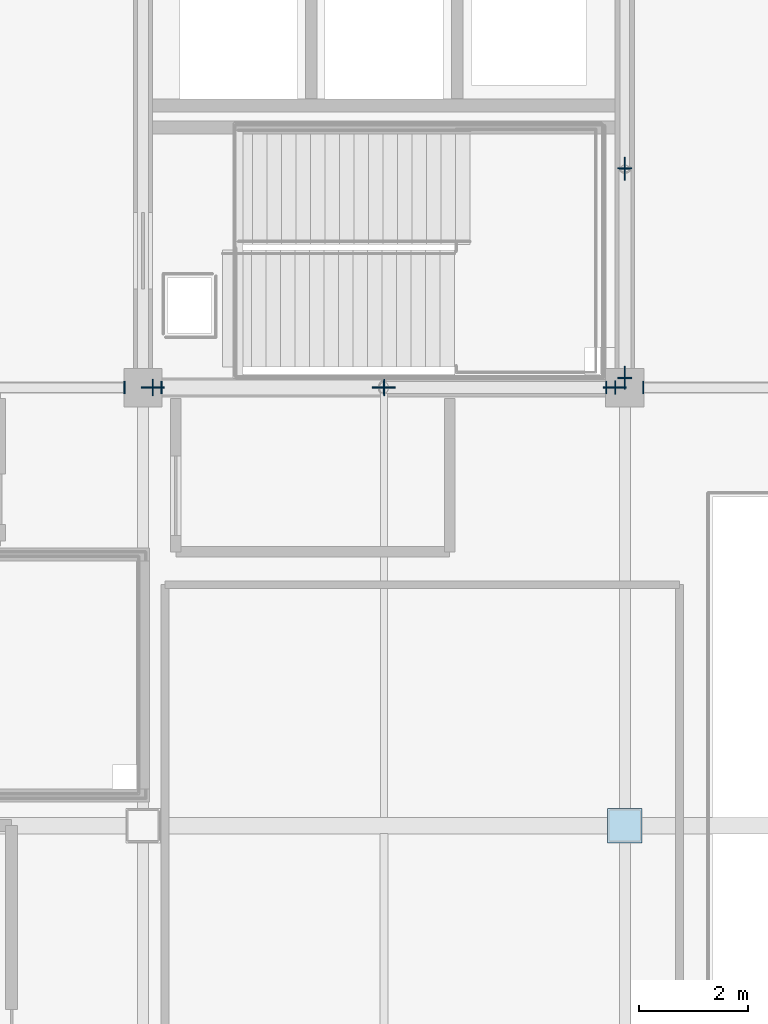
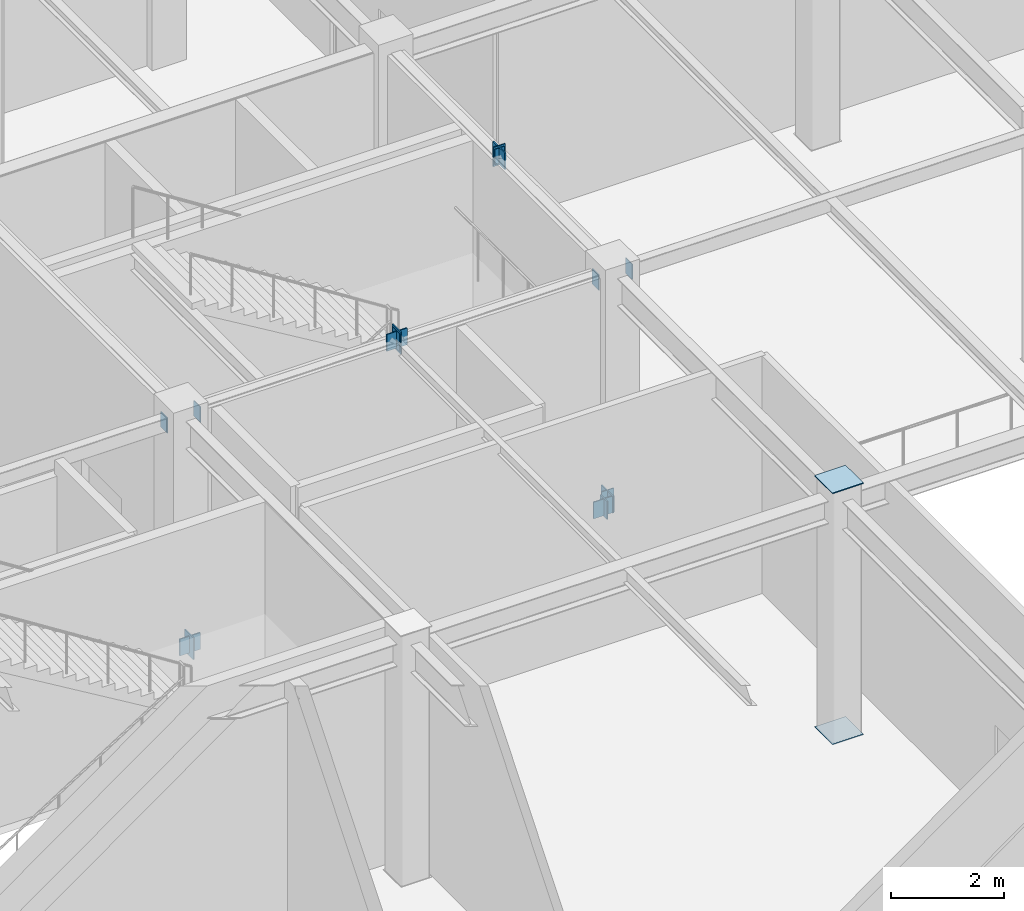
# One storey, part 112 of 184: 18 plates.
"""IFC4 building model written with IfcOpenShell, lengths in metres."""

from ifc_helpers import new_model, si_unit, direction, frame, origin, origin_2d, place, context, subcontext, project, spatial, rectangle, extrude, material, layer, layer_set, type_object, element, save


model = new_model("IFC4")

# Units and contexts
model_context = context("Model", 3, precision=1e-05, world=origin(), true_north=direction((0.0, 1.0)))
body_context = subcontext(model_context, "Body", "Model", "MODEL_VIEW")
ifc_project = project(units=[si_unit("LENGTHUNIT", "METRE"), si_unit("AREAUNIT", "SQUARE_METRE"), si_unit("VOLUMEUNIT", "CUBIC_METRE"), si_unit("PLANEANGLEUNIT", "RADIAN"), si_unit("MASSUNIT", "GRAM", prefix="KILO")], contexts=[model_context])

# Site, building, storey
site_placement = place(None, origin())
site = spatial("IfcSite", under=ifc_project, at=site_placement, CompositionType="ELEMENT")
building_placement = place(site_placement, origin())
building = spatial("IfcBuilding", under=site, at=building_placement, Name="Zhaolan Boulevard Law Courts", CompositionType="ELEMENT")
storey_placement = place(building_placement, frame((0.0, 0.0, 5.39990234375)))
storey = spatial("IfcBuildingStorey", under=building, at=storey_placement, Name="L01", CompositionType="ELEMENT", Elevation=5.39990234375)

# Plates
ifc_material_1 = material(Name="Structural steel Q355B", Category="steel")
ifc_layer_1 = layer(ifc_material_1, 0.02392578125)
ifc_layer_set_1 = layer_set([ifc_layer_1])
plate_type_1 = type_object("IfcPlateType", Name="BRACE GUSSET PLATE 24", PredefinedType="SHEET", material=ifc_layer_set_1)
for number, where, z_axis, x_axis, name in (
    (1, (17.780029296875, 46.0, -0.14990234375), (0.0, 0.0, 1.0), (1.0, 0.0, 0.0), "Brace Gusset Connection Plate GP-W1-L01-SA1"),
    (2, (26.219970703125, 46.0, -0.14990234375), (0.0, 0.0, 1.0), (1.0, 0.0, 0.0), "Brace Gusset Connection Plate GP-W1-L01-SA2"),
    (3, (22.0, 46.0, 4.93994140625), (0.0, 0.0, 1.0), (1.0, 0.0, 0.0), "Brace Gusset Connection Plate GP-W1-L01-SAPX"),
    (4, (26.39990234375, 46.179931640625, -0.14990234375), (0.0, 0.0, 1.0), (0.0, 1.0, 0.0), "Brace Gusset Connection Plate GP-W1-L01-EA1"),
    (5, (26.39990234375, 50.0, 4.93994140625), (0.0, 0.0, 1.0), (0.0, 1.0, 0.0), "Brace Gusset Connection Plate GP-W1-L01-EAPX"),
):
    element("IfcPlate", number, at=place(storey_placement, frame(where, z_axis=z_axis, x_axis=x_axis)), inside=storey, type_object=plate_type_1, Name=name, PredefinedType="SHEET", context=body_context, shape_type="SweptSolid", body=[
        extrude(rectangle(XDim=0.419921875, YDim=0.02392578125, at=origin_2d()), origin(), (0.0, 0.0, 1.0), 0.360107421875),
    ])
ifc_material_2 = material(Name="Structural steel Q355B", Category="steel")
ifc_layer_2 = layer(ifc_material_2, 0.02001953125)
ifc_layer_set_2 = layer_set([ifc_layer_2])
plate_type_2 = type_object("IfcPlateType", Name="END CAP PLATE 20", PredefinedType="SHEET", material=ifc_layer_set_2)
for number, where, z_axis, x_axis, name in (
    (6, (26.39990234375, 38.0, -0.017822265625), (0.0, 0.0, 1.0), (1.0, 0.0, 0.0), "Hollow Section End-Cap Plate ECP-0339"),
    (7, (26.39990234375, 38.0, 5.398193359375), (0.0, 0.0, 1.0), (1.0, 0.0, 0.0), "Hollow Section End-Cap Plate ECP-0340"),
):
    element("IfcPlate", number, at=place(storey_placement, frame(where, z_axis=z_axis, x_axis=x_axis)), inside=storey, type_object=plate_type_2, Name=name, PredefinedType="SHEET", context=body_context, shape_type="SweptSolid", body=[
        extrude(rectangle(XDim=0.6298828125, YDim=0.6298828125, at=origin_2d()), origin(), (0.0, 0.0, 1.0), 0.02001953125),
    ])
for number, where, z_axis, x_axis, name in (
    (8, (17.261962890625, 46.0, 4.822998046875), (0.0, 0.0, 1.0), (1.0, 0.0, 0.0), "Hollow Section End-Cap Plate ECP-0760"),
    (9, (17.93798828125, 46.0, 4.822998046875), (0.0, 0.0, 1.0), (1.0, 0.0, 0.0), "Hollow Section End-Cap Plate ECP-0761"),
    (10, (26.06201171875, 46.0, 4.822998046875), (0.0, 0.0, 1.0), (1.0, 0.0, 0.0), "Hollow Section End-Cap Plate ECP-0762"),
    (11, (26.738037109375, 46.0, 4.822998046875), (0.0, 0.0, 1.0), (1.0, 0.0, 0.0), "Hollow Section End-Cap Plate ECP-0763"),
):
    element("IfcPlate", number, at=place(storey_placement, frame(where, z_axis=z_axis, x_axis=x_axis)), inside=storey, type_object=plate_type_2, Name=name, PredefinedType="SHEET", context=body_context, shape_type="SweptSolid", body=[
        extrude(rectangle(XDim=0.02001953125, YDim=0.22998046875, at=origin_2d()), origin(), (0.0, 0.0, 1.0), 0.330078125),
    ])
for number, where, z_axis, x_axis, name in (
    (12, (17.77490234375, 46.0, -0.213623046875), (0.0, 0.0, 1.0), (1.0, 0.0, 0.0), "Hollow Section End-Cap Plate ECP-1063"),
    (13, (22.005126953125, 46.0, 4.888671875), (0.0, 0.0, 1.0), (1.0, 0.0, 0.0), "Hollow Section End-Cap Plate ECP-1064"),
):
    element("IfcPlate", number, at=place(storey_placement, frame(where, z_axis=z_axis, x_axis=x_axis)), inside=storey, type_object=plate_type_2, Name=name, PredefinedType="SHEET", context=body_context, shape_type="SweptSolid", body=[
        extrude(rectangle(XDim=0.02001953125, YDim=0.302978515625, at=origin_2d()), origin(), (0.0, 0.0, 1.0), 0.47509765625),
    ])
for number, where, z_axis, x_axis, name in (
    (14, (26.22509765625, 46.0, -0.1708984375), (0.0, 0.0, 1.0), (-1.0, 0.0, 0.0), "Hollow Section End-Cap Plate ECP-1065"),
    (15, (21.994873046875, 46.0, 4.93115234375), (0.0, 0.0, 1.0), (-1.0, 0.0, 0.0), "Hollow Section End-Cap Plate ECP-1066"),
):
    element("IfcPlate", number, at=place(storey_placement, frame(where, z_axis=z_axis, x_axis=x_axis)), inside=storey, type_object=plate_type_2, Name=name, PredefinedType="SHEET", context=body_context, shape_type="SweptSolid", body=[
        extrude(rectangle(XDim=0.02001953125, YDim=0.2490234375, at=origin_2d()), origin(), (0.0, 0.0, 1.0), 0.389892578125),
    ])
for number, where, z_axis, x_axis, name in (
    (16, (26.39990234375, 46.17529296875, -0.183837890625), (0.0, 0.0, 1.0), (0.0, 1.0, 0.0), "Hollow Section End-Cap Plate ECP-1067"),
    (17, (26.39990234375, 50.0048828125, 4.9189453125), (0.0, 0.0, 1.0), (0.0, 1.0, 0.0), "Hollow Section End-Cap Plate ECP-1068"),
):
    element("IfcPlate", number, at=place(storey_placement, frame(where, z_axis=z_axis, x_axis=x_axis)), inside=storey, type_object=plate_type_2, Name=name, PredefinedType="SHEET", context=body_context, shape_type="SweptSolid", body=[
        extrude(rectangle(XDim=0.02001953125, YDim=0.2490234375, at=origin_2d()), origin(), (0.0, 0.0, 1.0), 0.4150390625),
    ])
plate_placement = place(storey_placement, frame((26.39990234375, 49.9951171875, 4.96142578125), z_axis=(0.0, 0.0, 1.0), x_axis=(0.0, -1.0, 0.0)))
element("IfcPlate", 18, at=plate_placement, inside=storey, type_object=plate_type_2, Name="Hollow Section End-Cap Plate ECP-1070", PredefinedType="SHEET", context=body_context, shape_type="SweptSolid", body=[
    extrude(rectangle(XDim=0.02001953125, YDim=0.197998046875, at=origin_2d()), origin(), (0.0, 0.0, 1.0), 0.330078125),
])

save(model, "model.ifc")
